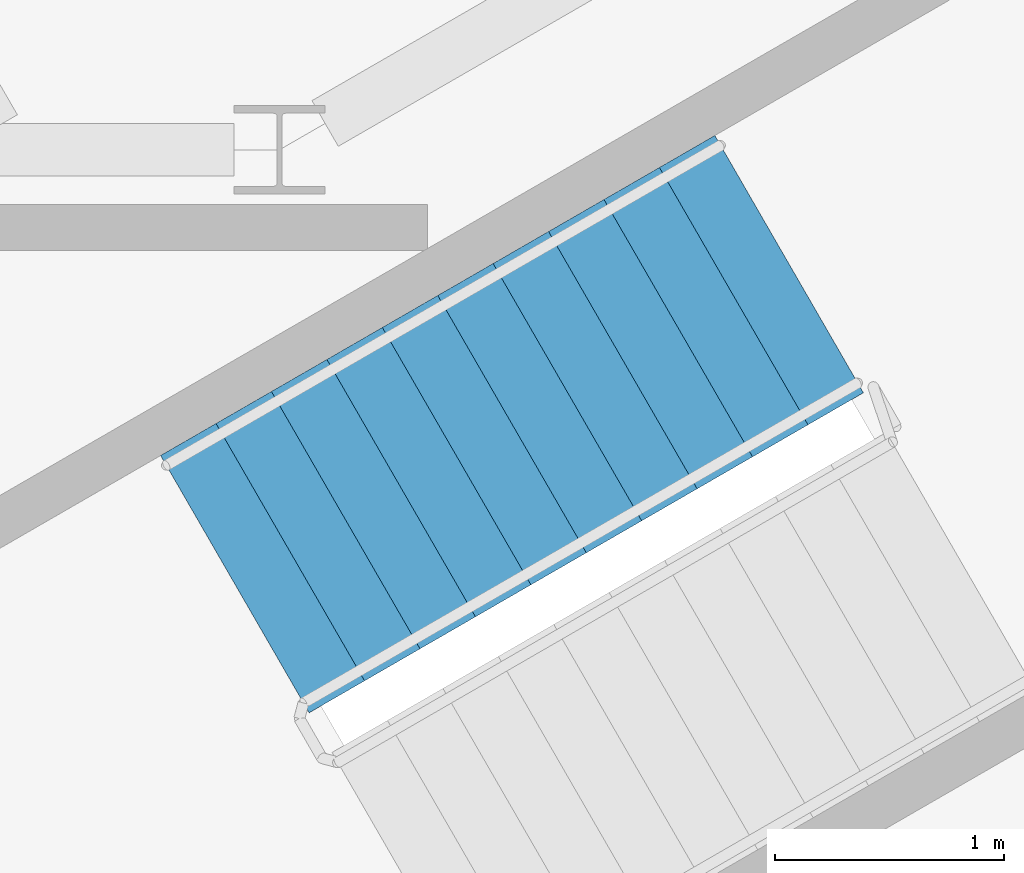
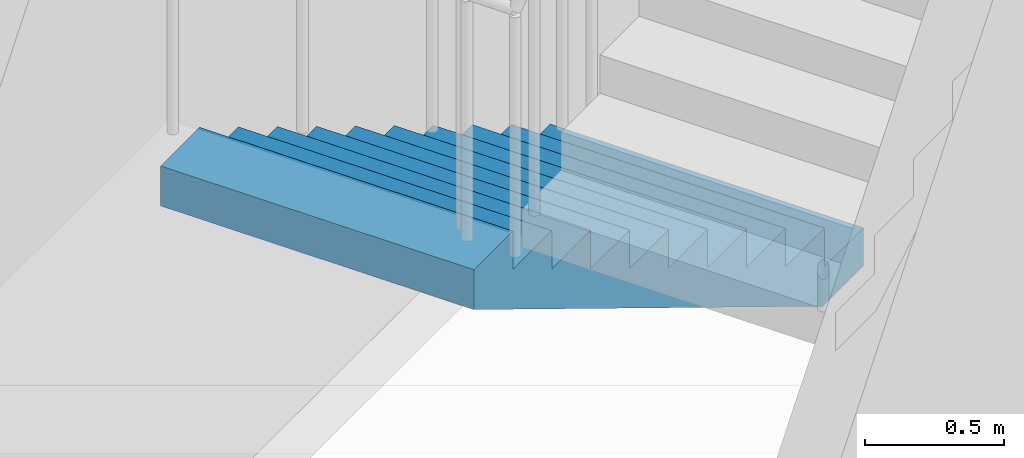
# One storey, part 12 of 13: 1 stair flight, 1 element without a shape of its own.
"""IFC4 building model written with IfcOpenShell, lengths in metres."""

import ifcopenshell
import ifcopenshell.guid

model = None  # the IFC model being written
_history = None  # IfcOwnerHistory: only IFC2X3 demands one
_inside = {}  # id of a spatial element -> (the spatial element, [elements in it])
_under = {}  # id of a project, library or spatial element -> (it, [spatial elements below it])
_declared = {}  # id of a project -> (the project, [libraries it declares])
_typed = {}  # id of a type object -> (the type object, [elements of that type])
_made_of = {}  # id of a material, layer set ... -> (it, [elements and type objects made of it])


def new_model(schema):
    """Start an empty IFC model of exactly this schema.

    Asked for "IFC4X3", IfcOpenShell would pick the latest addendum, in which some entities
    have other attributes; the version numbers below select the first issue.
    IFC2X3 requires an IfcOwnerHistory on every rooted entity: one is made here for all.
    """
    global model, _history
    if schema == "IFC4X3":
        model = ifcopenshell.file(schema_version=(4, 3, 0, 0))
    else:
        model = ifcopenshell.file(schema=schema)
    _inside.clear()
    _under.clear()
    _declared.clear()
    _typed.clear()
    _made_of.clear()
    _history = None
    if model.schema == "IFC2X3":
        org = make("IfcOrganization", Name="unknown")
        user = make(
            "IfcPersonAndOrganization",
            ThePerson=make("IfcPerson", FamilyName="unknown"),
            TheOrganization=org,
        )
        app = make(
            "IfcApplication",
            ApplicationDeveloper=org,
            Version="unknown",
            ApplicationFullName="unknown",
            ApplicationIdentifier="unknown",
        )
        _history = make(
            "IfcOwnerHistory",
            OwningUser=user,
            OwningApplication=app,
            ChangeAction="ADDED",
            CreationDate=0,
        )
    return model


def make(cls, **values):
    """One entity of the class cls with the attributes given. An attribute that is None is left unset."""
    return model.create_entity(
        cls, **{name: value for name, value in values.items() if value is not None}
    )


def rooted(cls, **values):
    """An entity with a GlobalId (a new one), such as an element, a storey or a relation."""
    return make(cls, GlobalId=ifcopenshell.guid.new(), OwnerHistory=_history, **values)


def si_unit(unit_type, name, prefix=None):
    """IfcSIUnit, for example si_unit("LENGTHUNIT", "METRE", prefix="MILLI")."""
    return make("IfcSIUnit", UnitType=unit_type, Prefix=prefix, Name=name)


def assignment(units):
    """IfcUnitAssignment: the units of a project."""
    return None if units is None else make("IfcUnitAssignment", Units=units)


def point(xyz):
    """IfcCartesianPoint."""
    return None if xyz is None else make("IfcCartesianPoint", Coordinates=xyz)


def direction(xyz):
    """IfcDirection."""
    return None if xyz is None else make("IfcDirection", DirectionRatios=xyz)


def frame(location, z_axis=None, x_axis=None):
    """IfcAxis2Placement3D, a coordinate frame: its origin and axes. An axis left out is left unset."""
    return make(
        "IfcAxis2Placement3D",
        Location=point(location),
        Axis=direction(z_axis),
        RefDirection=direction(x_axis),
    )


def origin():
    """The frame at (0, 0, 0) with its axes left unset."""
    return frame((0.0, 0.0, 0.0))


def place(relative_to, where):
    """IfcLocalPlacement: puts the frame where relative to a parent placement (None: the world)."""
    return make(
        "IfcLocalPlacement", PlacementRelTo=relative_to, RelativePlacement=where
    )


def context(
    kind, dimensions, precision=None, world=None, true_north=None, identifier=None
):
    """IfcGeometricRepresentationContext, for example the 3D "Model" context."""
    return make(
        "IfcGeometricRepresentationContext",
        ContextIdentifier=identifier,
        ContextType=kind,
        CoordinateSpaceDimension=dimensions,
        Precision=precision,
        WorldCoordinateSystem=world,
        TrueNorth=true_north,
    )


def subcontext(parent, identifier, kind, view, scale=None):
    """IfcGeometricRepresentationSubContext, for example "Body" below "Model"."""
    return make(
        "IfcGeometricRepresentationSubContext",
        ContextIdentifier=identifier,
        ContextType=kind,
        ParentContext=parent,
        TargetScale=scale,
        TargetView=view,
    )


def project(units=None, contexts=None):
    """IfcProject with its units and contexts."""
    return rooted(
        "IfcProject",
        Name="project",
        RepresentationContexts=contexts,
        UnitsInContext=assignment(units),
    )


def spatial(cls, under=None, at=None, **own):
    """A site, building, storey or space (cls), placed at a placement, below another one or the project."""
    s = rooted(cls, ObjectPlacement=at, **own)
    if under is not None:
        _under.setdefault(under.id(), (under, []))[1].append(s)
    return s


def polyline(points):
    """IfcPolyline through the points."""
    return make("IfcPolyline", Points=[point(p) for p in points])


def outline(outer, holes=None, kind="AREA"):
    """IfcArbitraryClosedProfileDef: a profile drawn as a closed curve; with holes, ...WithVoids."""
    if holes is None:
        return make("IfcArbitraryClosedProfileDef", ProfileType=kind, OuterCurve=outer)
    return make(
        "IfcArbitraryProfileDefWithVoids",
        ProfileType=kind,
        OuterCurve=outer,
        InnerCurves=holes,
    )


def extrude(swept, where, along, depth):
    """IfcExtrudedAreaSolid: the profile swept, set in the frame where, extruded along a direction by depth."""
    return make(
        "IfcExtrudedAreaSolid",
        SweptArea=swept,
        Position=where,
        ExtrudedDirection=direction(along),
        Depth=depth,
    )


def shape(context_of_items, identifier, shape_type, items):
    """IfcShapeRepresentation: the items that make up one representation, for example the "Body"."""
    return make(
        "IfcShapeRepresentation",
        ContextOfItems=context_of_items,
        RepresentationIdentifier=identifier,
        RepresentationType=shape_type,
        Items=items,
    )


def material(Name=None, Category=None):
    """IfcMaterial."""
    return make("IfcMaterial", Name=Name, Category=Category)


def made_of(thing, what):
    """Note that an element or type object is made of a material, layer set ...; save() writes the relation."""
    if what is not None:
        _made_of.setdefault(what.id(), (what, []))[1].append(thing)
    return thing


def type_object(cls, material=None, **own):
    """A type object (cls), such as IfcWallType, which elements share."""
    return made_of(rooted(cls, **own), material)


def element(
    cls,
    number,
    at=None,
    inside=None,
    cuts=None,
    type_object=None,
    material=None,
    context=None,
    identifier="Body",
    shape_type=None,
    held_by="IfcProductDefinitionShape",
    body=None,
    shapes=None,
    **own,
):
    """One element of the class cls, such as IfcWall. Its Tag is "e" and its number.

    at: its placement. inside: the storey or other place that contains it. cuts: it is an
    opening in that element (IfcRelVoidsElement). A single representation is given by context,
    identifier, shape_type and body (its items); several are given by shapes. held_by: the class
    of the entity that holds the representations. save() writes the other relations.
    """
    e = rooted(cls, Tag="e%d" % number, ObjectPlacement=at, **own)
    if body is not None:
        shapes = [shape(context, identifier, shape_type, body)]
    if shapes is not None:
        e.Representation = make(held_by, Representations=shapes)
    if inside is not None:
        _inside.setdefault(inside.id(), (inside, []))[1].append(e)
    if cuts is not None:
        rooted(
            "IfcRelVoidsElement", RelatingBuildingElement=cuts, RelatedOpeningElement=e
        )
    if type_object is not None:
        _typed.setdefault(type_object.id(), (type_object, []))[1].append(e)
    return made_of(e, material)


def aggregate(whole, parts):
    """IfcRelAggregates: a whole, such as a stair, and the parts it consists of."""
    return rooted("IfcRelAggregates", RelatingObject=whole, RelatedObjects=parts)


def save(model, path):
    """Write the relations noted so far, then the file.

    IfcRelAggregates (storeys below a building ...), IfcRelContainedInSpatialStructure (elements
    in a storey), IfcRelDefinesByType, IfcRelAssociatesMaterial and IfcRelDeclares: one each for
    every whole, place, type object, material and project.
    """
    for whole, parts in _under.values():
        aggregate(whole, parts)
    for where, things in _inside.values():
        rooted(
            "IfcRelContainedInSpatialStructure",
            RelatedElements=things,
            RelatingStructure=where,
        )
    for kind, things in _typed.values():
        rooted("IfcRelDefinesByType", RelatedObjects=things, RelatingType=kind)
    for what, things in _made_of.values():
        rooted("IfcRelAssociatesMaterial", RelatedObjects=things, RelatingMaterial=what)
    for by, libraries in _declared.values():
        rooted("IfcRelDeclares", RelatingContext=by, RelatedDefinitions=libraries)
    model.write(path)


model = new_model("IFC4")

# Units and contexts
model_context = context("Model", 3, precision=1e-05, world=origin(), true_north=direction((0.0, 1.0)))
body_context = subcontext(model_context, "Body", "Model", "MODEL_VIEW")
ifc_project = project(units=[si_unit("LENGTHUNIT", "METRE"), si_unit("AREAUNIT", "SQUARE_METRE"), si_unit("VOLUMEUNIT", "CUBIC_METRE"), si_unit("PLANEANGLEUNIT", "RADIAN"), si_unit("MASSUNIT", "GRAM", prefix="KILO")], contexts=[model_context])

# Site, building, storey
site_placement = place(None, origin())
site = spatial("IfcSite", under=ifc_project, at=site_placement, CompositionType="ELEMENT")
building_placement = place(site_placement, origin())
building = spatial("IfcBuilding", under=site, at=building_placement, Name="Verrane Prism Tower", CompositionType="ELEMENT")
storey_placement = place(building_placement, frame((0.0, 0.0, 210.10009765625)))
storey = spatial("IfcBuildingStorey", under=building, at=storey_placement, Name="L52", CompositionType="ELEMENT", Elevation=210.10009765625)

# Stair, stair flight
ifc_material_1 = material(Name="Concrete C40/50", Category="concrete")
stair_type = type_object("IfcStairType", Name="Exit stair 1300 dog-leg precast concrete C40/50", PredefinedType="HALF_TURN_STAIR", material=ifc_material_1)
stair_placement = place(storey_placement, origin())
stair = element("IfcStair", 1, at=stair_placement, inside=storey, type_object=stair_type, Name="Stair 1 L52", PredefinedType="HALF_TURN_STAIR")
ifc_material_2 = material(Name="Concrete C40/50", Category="concrete")
stair_flight_type = type_object("IfcStairFlightType", Name="Stair flight 1300 precast concrete C40/50", PredefinedType="STRAIGHT", material=ifc_material_2)
stair_flight_placement = place(storey_placement, frame((11.489501953125, 7.49951171875, 0.0), z_axis=(0.0, 0.0, 1.0), x_axis=(-0.866025403784, -0.5, 0.0)))
stair_flight = element("IfcStairFlight", 2, at=stair_flight_placement, type_object=stair_flight_type, Name="Stair 1 flight 1", NumberOfRisers=11, NumberOfTreads=10, PredefinedType="STRAIGHT", RiserHeight=0.168181818, TreadLength=0.28, context=body_context, shape_type="SweptSolid", body=[
    extrude(outline(polyline([(0.0, 0.0), (0.0, 0.168212890625), (0.280029296875, 0.168212890625), (0.280029296875, 0.33642578125), (0.56005859375, 0.33642578125), (0.56005859375, 0.504638671875), (0.840087890625, 0.504638671875), (0.840087890625, 0.672607421875), (1.1201171875, 0.672607421875), (1.1201171875, 0.8408203125), (1.39990234375, 0.8408203125), (1.39990234375, 1.009033203125), (1.679931640625, 1.009033203125), (1.679931640625, 1.17724609375), (1.9599609375, 1.17724609375), (1.9599609375, 1.345458984375), (2.239990234375, 1.345458984375), (2.239990234375, 1.513671875), (2.52001953125, 1.513671875), (2.52001953125, 1.681884765625), (2.800048828125, 1.681884765625), (2.800048828125, 1.85009765625), (2.800048828125, 1.5068359375), (0.291015625, 0.0), (0.0, 0.0)])), frame((0.0, 0.64990234375, 0.0), z_axis=(0.0, -1.0, 0.0), x_axis=(1.0, 0.0, 0.0)), (0.0, 0.0, 1.0), 1.300048828125),
])
aggregate(stair, [stair_flight])

save(model, "model.ifc")
